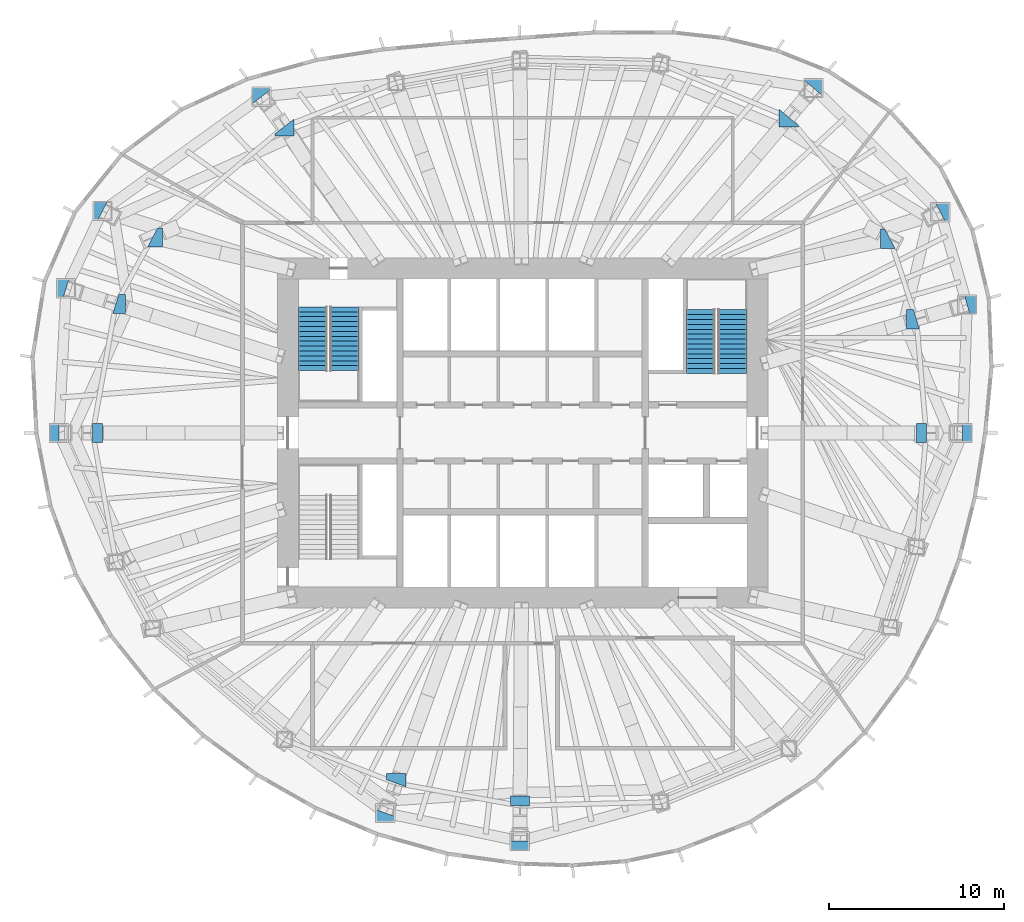
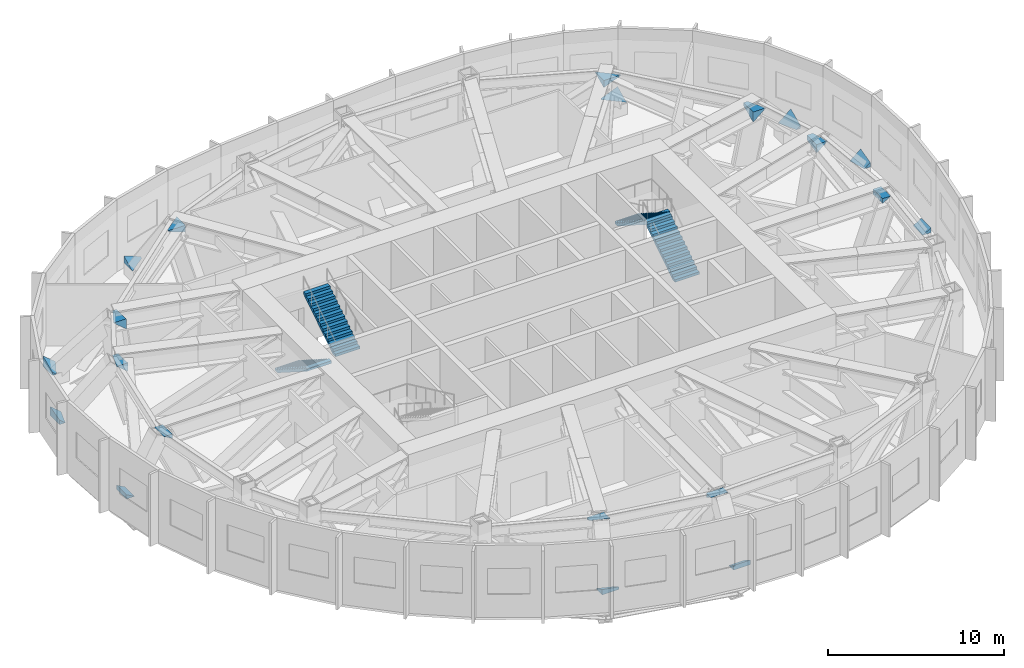
# One storey, part 10 of 11: 20 discrete accessories, 4 stair flights, 2 elements without a shape of their own.
"""IFC4 building model written with IfcOpenShell, lengths in metres."""

import ifcopenshell
import ifcopenshell.guid

model = None  # the IFC model being written
_history = None  # IfcOwnerHistory: only IFC2X3 demands one
_inside = {}  # id of a spatial element -> (the spatial element, [elements in it])
_under = {}  # id of a project, library or spatial element -> (it, [spatial elements below it])
_declared = {}  # id of a project -> (the project, [libraries it declares])
_typed = {}  # id of a type object -> (the type object, [elements of that type])
_made_of = {}  # id of a material, layer set ... -> (it, [elements and type objects made of it])


def new_model(schema):
    """Start an empty IFC model of exactly this schema.

    Asked for "IFC4X3", IfcOpenShell would pick the latest addendum, in which some entities
    have other attributes; the version numbers below select the first issue.
    IFC2X3 requires an IfcOwnerHistory on every rooted entity: one is made here for all.
    """
    global model, _history
    if schema == "IFC4X3":
        model = ifcopenshell.file(schema_version=(4, 3, 0, 0))
    else:
        model = ifcopenshell.file(schema=schema)
    _inside.clear()
    _under.clear()
    _declared.clear()
    _typed.clear()
    _made_of.clear()
    _history = None
    if model.schema == "IFC2X3":
        org = make("IfcOrganization", Name="unknown")
        user = make(
            "IfcPersonAndOrganization",
            ThePerson=make("IfcPerson", FamilyName="unknown"),
            TheOrganization=org,
        )
        app = make(
            "IfcApplication",
            ApplicationDeveloper=org,
            Version="unknown",
            ApplicationFullName="unknown",
            ApplicationIdentifier="unknown",
        )
        _history = make(
            "IfcOwnerHistory",
            OwningUser=user,
            OwningApplication=app,
            ChangeAction="ADDED",
            CreationDate=0,
        )
    return model


def make(cls, **values):
    """One entity of the class cls with the attributes given. An attribute that is None is left unset."""
    return model.create_entity(
        cls, **{name: value for name, value in values.items() if value is not None}
    )


def rooted(cls, **values):
    """An entity with a GlobalId (a new one), such as an element, a storey or a relation."""
    return make(cls, GlobalId=ifcopenshell.guid.new(), OwnerHistory=_history, **values)


def si_unit(unit_type, name, prefix=None):
    """IfcSIUnit, for example si_unit("LENGTHUNIT", "METRE", prefix="MILLI")."""
    return make("IfcSIUnit", UnitType=unit_type, Prefix=prefix, Name=name)


def assignment(units):
    """IfcUnitAssignment: the units of a project."""
    return None if units is None else make("IfcUnitAssignment", Units=units)


def point(xyz):
    """IfcCartesianPoint."""
    return None if xyz is None else make("IfcCartesianPoint", Coordinates=xyz)


def direction(xyz):
    """IfcDirection."""
    return None if xyz is None else make("IfcDirection", DirectionRatios=xyz)


def frame(location, z_axis=None, x_axis=None):
    """IfcAxis2Placement3D, a coordinate frame: its origin and axes. An axis left out is left unset."""
    return make(
        "IfcAxis2Placement3D",
        Location=point(location),
        Axis=direction(z_axis),
        RefDirection=direction(x_axis),
    )


def frame_2d(location, x_axis=None):
    """IfcAxis2Placement2D, a coordinate frame in the plane: its origin and x axis."""
    return make(
        "IfcAxis2Placement2D", Location=point(location), RefDirection=direction(x_axis)
    )


def origin():
    """The frame at (0, 0, 0) with its axes left unset."""
    return frame((0.0, 0.0, 0.0))


def origin_2d():
    """The frame at (0, 0) in the plane with its x axis left unset."""
    return frame_2d((0.0, 0.0))


def place(relative_to, where):
    """IfcLocalPlacement: puts the frame where relative to a parent placement (None: the world)."""
    return make(
        "IfcLocalPlacement", PlacementRelTo=relative_to, RelativePlacement=where
    )


def context(
    kind, dimensions, precision=None, world=None, true_north=None, identifier=None
):
    """IfcGeometricRepresentationContext, for example the 3D "Model" context."""
    return make(
        "IfcGeometricRepresentationContext",
        ContextIdentifier=identifier,
        ContextType=kind,
        CoordinateSpaceDimension=dimensions,
        Precision=precision,
        WorldCoordinateSystem=world,
        TrueNorth=true_north,
    )


def subcontext(parent, identifier, kind, view, scale=None):
    """IfcGeometricRepresentationSubContext, for example "Body" below "Model"."""
    return make(
        "IfcGeometricRepresentationSubContext",
        ContextIdentifier=identifier,
        ContextType=kind,
        ParentContext=parent,
        TargetScale=scale,
        TargetView=view,
    )


def project(units=None, contexts=None):
    """IfcProject with its units and contexts."""
    return rooted(
        "IfcProject",
        Name="project",
        RepresentationContexts=contexts,
        UnitsInContext=assignment(units),
    )


def spatial(cls, under=None, at=None, **own):
    """A site, building, storey or space (cls), placed at a placement, below another one or the project."""
    s = rooted(cls, ObjectPlacement=at, **own)
    if under is not None:
        _under.setdefault(under.id(), (under, []))[1].append(s)
    return s


def polyline(points):
    """IfcPolyline through the points."""
    return make("IfcPolyline", Points=[point(p) for p in points])


def profile(cls, at=None, kind="AREA", **sizes):
    """A parametric profile (cls). Its sizes go by their IFC names, for example OverallWidth=200.0."""
    return make(cls, ProfileType=kind, Position=at, **sizes)


def rectangle(**sizes):
    """IfcRectangleProfileDef."""
    return profile("IfcRectangleProfileDef", **sizes)


def outline(outer, holes=None, kind="AREA"):
    """IfcArbitraryClosedProfileDef: a profile drawn as a closed curve; with holes, ...WithVoids."""
    if holes is None:
        return make("IfcArbitraryClosedProfileDef", ProfileType=kind, OuterCurve=outer)
    return make(
        "IfcArbitraryProfileDefWithVoids",
        ProfileType=kind,
        OuterCurve=outer,
        InnerCurves=holes,
    )


def extrude(swept, where, along, depth):
    """IfcExtrudedAreaSolid: the profile swept, set in the frame where, extruded along a direction by depth."""
    return make(
        "IfcExtrudedAreaSolid",
        SweptArea=swept,
        Position=where,
        ExtrudedDirection=direction(along),
        Depth=depth,
    )


def clip(a, b, op="DIFFERENCE"):
    """IfcBooleanClippingResult: the solid a cut by the half space b."""
    return make(
        "IfcBooleanClippingResult", Operator=op, FirstOperand=a, SecondOperand=b
    )


def halfspace(plane, agree):
    """IfcHalfSpaceSolid: all space on one side of the plane z = 0 of the frame plane."""
    return make(
        "IfcHalfSpaceSolid",
        BaseSurface=make("IfcPlane", Position=plane),
        AgreementFlag=agree,
    )


def shape(context_of_items, identifier, shape_type, items):
    """IfcShapeRepresentation: the items that make up one representation, for example the "Body"."""
    return make(
        "IfcShapeRepresentation",
        ContextOfItems=context_of_items,
        RepresentationIdentifier=identifier,
        RepresentationType=shape_type,
        Items=items,
    )


def material(Name=None, Category=None):
    """IfcMaterial."""
    return make("IfcMaterial", Name=Name, Category=Category)


def material_profile(
    of_material, cross_section, Name=None, Category=None, Priority=None
):
    """IfcMaterialProfile: a cross section and its material."""
    return make(
        "IfcMaterialProfile",
        Name=Name,
        Material=of_material,
        Profile=cross_section,
        Priority=Priority,
        Category=Category,
    )


def profile_set(profiles, Name=None, composite=None):
    """IfcMaterialProfileSet."""
    return make(
        "IfcMaterialProfileSet",
        Name=Name,
        MaterialProfiles=profiles,
        CompositeProfile=composite,
    )


def made_of(thing, what):
    """Note that an element or type object is made of a material, layer set ...; save() writes the relation."""
    if what is not None:
        _made_of.setdefault(what.id(), (what, []))[1].append(thing)
    return thing


def type_object(cls, material=None, **own):
    """A type object (cls), such as IfcWallType, which elements share."""
    return made_of(rooted(cls, **own), material)


def element(
    cls,
    number,
    at=None,
    inside=None,
    cuts=None,
    type_object=None,
    material=None,
    context=None,
    identifier="Body",
    shape_type=None,
    held_by="IfcProductDefinitionShape",
    body=None,
    shapes=None,
    **own,
):
    """One element of the class cls, such as IfcWall. Its Tag is "e" and its number.

    at: its placement. inside: the storey or other place that contains it. cuts: it is an
    opening in that element (IfcRelVoidsElement). A single representation is given by context,
    identifier, shape_type and body (its items); several are given by shapes. held_by: the class
    of the entity that holds the representations. save() writes the other relations.
    """
    e = rooted(cls, Tag="e%d" % number, ObjectPlacement=at, **own)
    if body is not None:
        shapes = [shape(context, identifier, shape_type, body)]
    if shapes is not None:
        e.Representation = make(held_by, Representations=shapes)
    if inside is not None:
        _inside.setdefault(inside.id(), (inside, []))[1].append(e)
    if cuts is not None:
        rooted(
            "IfcRelVoidsElement", RelatingBuildingElement=cuts, RelatedOpeningElement=e
        )
    if type_object is not None:
        _typed.setdefault(type_object.id(), (type_object, []))[1].append(e)
    return made_of(e, material)


def aggregate(whole, parts):
    """IfcRelAggregates: a whole, such as a stair, and the parts it consists of."""
    return rooted("IfcRelAggregates", RelatingObject=whole, RelatedObjects=parts)


def save(model, path):
    """Write the relations noted so far, then the file.

    IfcRelAggregates (storeys below a building ...), IfcRelContainedInSpatialStructure (elements
    in a storey), IfcRelDefinesByType, IfcRelAssociatesMaterial and IfcRelDeclares: one each for
    every whole, place, type object, material and project.
    """
    for whole, parts in _under.values():
        aggregate(whole, parts)
    for where, things in _inside.values():
        rooted(
            "IfcRelContainedInSpatialStructure",
            RelatedElements=things,
            RelatingStructure=where,
        )
    for kind, things in _typed.values():
        rooted("IfcRelDefinesByType", RelatedObjects=things, RelatingType=kind)
    for what, things in _made_of.values():
        rooted("IfcRelAssociatesMaterial", RelatedObjects=things, RelatingMaterial=what)
    for by, libraries in _declared.values():
        rooted("IfcRelDeclares", RelatingContext=by, RelatedDefinitions=libraries)
    model.write(path)


model = new_model("IFC4")

# Units and contexts
model_context = context("Model", 3, precision=1e-05, world=origin(), true_north=direction((0.0, 1.0)))
body_context = subcontext(model_context, "Body", "Model", "MODEL_VIEW")
ifc_project = project(units=[si_unit("LENGTHUNIT", "METRE"), si_unit("AREAUNIT", "SQUARE_METRE"), si_unit("VOLUMEUNIT", "CUBIC_METRE"), si_unit("PLANEANGLEUNIT", "RADIAN"), si_unit("MASSUNIT", "GRAM", prefix="KILO")], contexts=[model_context])

# Site, building, storey
site_placement = place(None, origin())
site = spatial("IfcSite", under=ifc_project, at=site_placement, CompositionType="ELEMENT")
building_placement = place(site_placement, origin())
building = spatial("IfcBuilding", under=site, at=building_placement, Name="Ghaith Harvest Tower", CompositionType="ELEMENT")
storey_placement = place(building_placement, frame((0.0, 0.0, 266.199951171875)))
storey = spatial("IfcBuildingStorey", under=building, at=storey_placement, Name="L59", CompositionType="ELEMENT", Elevation=266.199951171875)

# Stair, stair flights
ifc_material_1 = material(Name="Concrete C40/50, precast", Category="concrete")
stair_type = type_object("IfcStairType", Name="CORE STAIR 28R", PredefinedType="HALF_TURN_STAIR", material=ifc_material_1)
stair_1_placement = place(storey_placement, origin())
stair_1 = element("IfcStair", 1, at=stair_1_placement, inside=storey, type_object=stair_type, Name="Stair ST1 L59", PredefinedType="HALF_TURN_STAIR")
ifc_material_2 = material(Name="Concrete C40/50, precast", Category="concrete")
stair_flight_type = type_object("IfcStairFlightType", Name="CORE FLIGHT 14R 1600", PredefinedType="STRAIGHT", material=ifc_material_2)
stair_flight_1_placement = place(storey_placement, frame((-12.0, 7.199951171875, 0.0), z_axis=(0.0, 0.0, 1.0), x_axis=(0.0, -1.0, 0.0)))
stair_flight_1 = element("IfcStairFlight", 2, at=stair_flight_1_placement, type_object=stair_flight_type, Name="ST1 flight 1", NumberOfRisers=14, NumberOfTreads=13, PredefinedType="STRAIGHT", RiserHeight=0.178571429, TreadLength=0.28, context=body_context, shape_type="SweptSolid", body=[
    extrude(outline(polyline([(0.0, 0.0), (0.0, 0.178466796875), (0.280029296875, 0.178466796875), (0.280029296875, 0.357177734375), (0.56005859375, 0.357177734375), (0.56005859375, 0.53564453125), (0.840087890625, 0.53564453125), (0.840087890625, 0.71435546875), (1.1201171875, 0.71435546875), (1.1201171875, 0.892822265625), (1.39990234375, 0.892822265625), (1.39990234375, 1.071533203125), (1.679931640625, 1.071533203125), (1.679931640625, 1.25), (1.9599609375, 1.25), (1.9599609375, 1.428466796875), (2.239990234375, 1.428466796875), (2.239990234375, 1.607177734375), (2.52001953125, 1.607177734375), (2.52001953125, 1.78564453125), (2.800048828125, 1.78564453125), (2.800048828125, 1.96435546875), (3.080078125, 1.96435546875), (3.080078125, 2.142822265625), (3.360107421875, 2.142822265625), (3.360107421875, 2.321533203125), (3.639892578125, 2.321533203125), (3.639892578125, 2.5), (3.639892578125, 2.1435546875), (0.27880859375, 0.0), (0.0, 0.0)])), frame((0.0, 0.800048828125, 0.0), z_axis=(0.0, -1.0, 0.0), x_axis=(1.0, 0.0, 0.0)), (0.0, 0.0, 1.0), 1.60009765625),
])
stair_flight_2_placement = place(storey_placement, frame((-10.14990234375, 3.56005859375, 2.5), z_axis=(0.0, 0.0, 1.0), x_axis=(0.0, 1.0, 0.0)))
stair_flight_2 = element("IfcStairFlight", 3, at=stair_flight_2_placement, type_object=stair_flight_type, Name="ST1 flight 2", NumberOfRisers=14, NumberOfTreads=13, PredefinedType="STRAIGHT", RiserHeight=0.178571429, TreadLength=0.28, context=body_context, shape_type="SweptSolid", body=[
    extrude(outline(polyline([(0.0, 0.0), (0.0, 0.178466796875), (0.280029296875, 0.178466796875), (0.280029296875, 0.357177734375), (0.56005859375, 0.357177734375), (0.56005859375, 0.53564453125), (0.840087890625, 0.53564453125), (0.840087890625, 0.71435546875), (1.1201171875, 0.71435546875), (1.1201171875, 0.892822265625), (1.39990234375, 0.892822265625), (1.39990234375, 1.071533203125), (1.679931640625, 1.071533203125), (1.679931640625, 1.25), (1.9599609375, 1.25), (1.9599609375, 1.428466796875), (2.239990234375, 1.428466796875), (2.239990234375, 1.607177734375), (2.52001953125, 1.607177734375), (2.52001953125, 1.78564453125), (2.800048828125, 1.78564453125), (2.800048828125, 1.96435546875), (3.080078125, 1.96435546875), (3.080078125, 2.142822265625), (3.360107421875, 2.142822265625), (3.360107421875, 2.321533203125), (3.639892578125, 2.321533203125), (3.639892578125, 2.5), (3.639892578125, 2.1435546875), (0.27880859375, 0.0), (0.0, 0.0)])), frame((0.0, 0.800048828125, 0.0), z_axis=(0.0, -1.0, 0.0), x_axis=(1.0, 0.0, 0.0)), (0.0, 0.0, 1.0), 1.60009765625),
])
aggregate(stair_1, [stair_flight_1, stair_flight_2])

stair_2_placement = place(storey_placement, origin())
stair_2 = element("IfcStair", 4, at=stair_2_placement, inside=storey, type_object=stair_type, Name="Stair ST2 L59", PredefinedType="HALF_TURN_STAIR")
stair_flight_3_placement = place(storey_placement, frame((12.0, 3.39990234375, 0.0), z_axis=(0.0, 0.0, 1.0), x_axis=(0.0, 1.0, 0.0)))
stair_flight_3 = element("IfcStairFlight", 5, at=stair_flight_3_placement, type_object=stair_flight_type, Name="ST2 flight 1", NumberOfRisers=14, NumberOfTreads=13, PredefinedType="STRAIGHT", RiserHeight=0.178571429, TreadLength=0.28, context=body_context, shape_type="SweptSolid", body=[
    extrude(outline(polyline([(0.0, 0.0), (0.0, 0.178466796875), (0.280029296875, 0.178466796875), (0.280029296875, 0.357177734375), (0.56005859375, 0.357177734375), (0.56005859375, 0.53564453125), (0.840087890625, 0.53564453125), (0.840087890625, 0.71435546875), (1.1201171875, 0.71435546875), (1.1201171875, 0.892822265625), (1.39990234375, 0.892822265625), (1.39990234375, 1.071533203125), (1.679931640625, 1.071533203125), (1.679931640625, 1.25), (1.9599609375, 1.25), (1.9599609375, 1.428466796875), (2.239990234375, 1.428466796875), (2.239990234375, 1.607177734375), (2.52001953125, 1.607177734375), (2.52001953125, 1.78564453125), (2.800048828125, 1.78564453125), (2.800048828125, 1.96435546875), (3.080078125, 1.96435546875), (3.080078125, 2.142822265625), (3.360107421875, 2.142822265625), (3.360107421875, 2.321533203125), (3.639892578125, 2.321533203125), (3.639892578125, 2.5), (3.639892578125, 2.1435546875), (0.27880859375, 0.0), (0.0, 0.0)])), frame((0.0, 0.800048828125, 0.0), z_axis=(0.0, -1.0, 0.0), x_axis=(1.0, 0.0, 0.0)), (0.0, 0.0, 1.0), 1.60009765625),
])
stair_flight_4_placement = place(storey_placement, frame((10.14990234375, 7.0400390625, 2.5), z_axis=(0.0, 0.0, 1.0), x_axis=(0.0, -1.0, 0.0)))
stair_flight_4 = element("IfcStairFlight", 6, at=stair_flight_4_placement, type_object=stair_flight_type, Name="ST2 flight 2", NumberOfRisers=14, NumberOfTreads=13, PredefinedType="STRAIGHT", RiserHeight=0.178571429, TreadLength=0.28, context=body_context, shape_type="SweptSolid", body=[
    extrude(outline(polyline([(0.0, 0.0), (0.0, 0.178466796875), (0.280029296875, 0.178466796875), (0.280029296875, 0.357177734375), (0.56005859375, 0.357177734375), (0.56005859375, 0.53564453125), (0.840087890625, 0.53564453125), (0.840087890625, 0.71435546875), (1.1201171875, 0.71435546875), (1.1201171875, 0.892822265625), (1.39990234375, 0.892822265625), (1.39990234375, 1.071533203125), (1.679931640625, 1.071533203125), (1.679931640625, 1.25), (1.9599609375, 1.25), (1.9599609375, 1.428466796875), (2.239990234375, 1.428466796875), (2.239990234375, 1.607177734375), (2.52001953125, 1.607177734375), (2.52001953125, 1.78564453125), (2.800048828125, 1.78564453125), (2.800048828125, 1.96435546875), (3.080078125, 1.96435546875), (3.080078125, 2.142822265625), (3.360107421875, 2.142822265625), (3.360107421875, 2.321533203125), (3.639892578125, 2.321533203125), (3.639892578125, 2.5), (3.639892578125, 2.1435546875), (0.27880859375, 0.0), (0.0, 0.0)])), frame((0.0, 0.800048828125, 0.0), z_axis=(0.0, -1.0, 0.0), x_axis=(1.0, 0.0, 0.0)), (0.0, 0.0, 1.0), 1.60009765625),
])
aggregate(stair_2, [stair_flight_3, stair_flight_4])

# Discrete accessories
ifc_material_3 = material(Name="Steel S460M", Category="steel")
ifc_material_profile = material_profile(ifc_material_3, rectangle(XDim=1.10009765625, YDim=1.10009765625, at=origin_2d()), Name="KINK NODE BEARING SHOE 1100")
ifc_profile_set = profile_set([ifc_material_profile], Name="Steel S460M")
discrete_accessory_type = type_object("IfcDiscreteAccessoryType", Name="KINK NODE BEARING SHOE 1100", PredefinedType="SHOE", material=ifc_profile_set)
discrete_accessory_1_placement = place(storey_placement, frame((25.125, 0.0, 0.775146484375), z_axis=(0.0, 0.0, 1.0), x_axis=(1.0, 0.0, 0.0)))
element("IfcDiscreteAccessory", 7, at=discrete_accessory_1_placement, inside=storey, type_object=discrete_accessory_type, Name="Kink node bearing shoe C01 base L59", PredefinedType="SHOE", context=body_context, shape_type="Clipping", body=[
    clip(extrude(rectangle(XDim=1.10009765625, YDim=1.10009765625, at=origin_2d()), origin(), (0.0, 0.0, 1.0), 0.3408203125), halfspace(frame((0.0, 0.0, 0.0), z_axis=(-0.515408661024, 0.0, 0.85694452104), x_axis=(1.0, 0.0, 0.0)), False)),
])
discrete_accessory_2_placement = place(storey_placement, frame((23.050048828125, 0.0, 3.88427734375), z_axis=(0.0, 0.0, 1.0), x_axis=(1.0, 0.0, 0.0)))
element("IfcDiscreteAccessory", 8, at=discrete_accessory_2_placement, inside=storey, type_object=discrete_accessory_type, Name="Kink node bearing shoe C01 head L59", PredefinedType="SHOE", context=body_context, shape_type="Clipping", body=[
    clip(extrude(rectangle(XDim=1.10009765625, YDim=1.10009765625, at=origin_2d()), origin(), (0.0, 0.0, 1.0), 0.3408203125), halfspace(frame((0.0, 0.0, 0.3408203125), z_axis=(0.515408661024, 0.0, -0.85694452104), x_axis=(1.0, 0.0, 0.0)), False)),
])
discrete_accessory_3_placement = place(storey_placement, frame((25.3779296875, 7.3349609375, 0.775146484375), z_axis=(0.0, 0.0, 1.0), x_axis=(1.0, 0.0, 0.0)))
element("IfcDiscreteAccessory", 9, at=discrete_accessory_3_placement, inside=storey, type_object=discrete_accessory_type, Name="Kink node bearing shoe C02 base L59", PredefinedType="SHOE", context=body_context, shape_type="Clipping", body=[
    clip(extrude(rectangle(XDim=1.10009765625, YDim=1.10009765625, at=origin_2d()), origin(), (0.0, 0.0, 1.0), 0.6044921875), halfspace(frame((0.0, 0.0, 0.0), z_axis=(-0.631743043759, -0.18255692493, 0.753374870713), x_axis=(1.0, 0.0, 0.0)), False)),
])
discrete_accessory_4_placement = place(storey_placement, frame((22.485107421875, 6.4990234375, 3.62060546875), z_axis=(0.0, 0.0, 1.0), x_axis=(1.0, 0.0, 0.0)))
element("IfcDiscreteAccessory", 10, at=discrete_accessory_4_placement, inside=storey, type_object=discrete_accessory_type, Name="Kink node bearing shoe C02 head L59", PredefinedType="SHOE", context=body_context, shape_type="Clipping", body=[
    clip(extrude(rectangle(XDim=1.10009765625, YDim=1.10009765625, at=origin_2d()), origin(), (0.0, 0.0, 1.0), 0.6044921875), halfspace(frame((0.0, 0.0, 0.6044921875), z_axis=(0.631743043759, 0.18255692493, -0.753374870713), x_axis=(1.0, 0.0, 0.0)), False)),
])
discrete_accessory_5_placement = place(storey_placement, frame((23.85205078125, 12.60693359375, 0.775146484375), z_axis=(0.0, 0.0, 1.0), x_axis=(1.0, 0.0, 0.0)))
element("IfcDiscreteAccessory", 11, at=discrete_accessory_5_placement, inside=storey, type_object=discrete_accessory_type, Name="Kink node bearing shoe C03 base L59", PredefinedType="SHOE", context=body_context, shape_type="Clipping", body=[
    clip(extrude(rectangle(XDim=1.10009765625, YDim=1.10009765625, at=origin_2d()), origin(), (0.0, 0.0, 1.0), 0.71044921875), halfspace(frame((0.0, 0.0, 0.0), z_axis=(-0.606433666005, -0.320407909003, 0.727720400006), x_axis=(1.0, 0.0, 0.0)), False)),
])
discrete_accessory_6_placement = place(storey_placement, frame((20.97705078125, 11.087890625, 3.5146484375), z_axis=(0.0, 0.0, 1.0), x_axis=(1.0, 0.0, 0.0)))
element("IfcDiscreteAccessory", 12, at=discrete_accessory_6_placement, inside=storey, type_object=discrete_accessory_type, Name="Kink node bearing shoe C03 head L59", PredefinedType="SHOE", context=body_context, shape_type="Clipping", body=[
    clip(extrude(rectangle(XDim=1.10009765625, YDim=1.10009765625, at=origin_2d()), origin(), (0.0, 0.0, 1.0), 0.71044921875), halfspace(frame((0.0, 0.0, 0.71044921875), z_axis=(0.606433666005, 0.320407909003, -0.727720400006), x_axis=(1.0, 0.0, 0.0)), False)),
])
discrete_accessory_7_placement = place(storey_placement, frame((16.60791015625, 19.695068359375, 0.775146484375), z_axis=(0.0, 0.0, 1.0), x_axis=(1.0, 0.0, 0.0)))
element("IfcDiscreteAccessory", 13, at=discrete_accessory_7_placement, inside=storey, type_object=discrete_accessory_type, Name="Kink node bearing shoe C04 base L59", PredefinedType="SHOE", context=body_context, shape_type="Clipping", body=[
    clip(extrude(rectangle(XDim=1.10009765625, YDim=1.10009765625, at=origin_2d()), origin(), (0.0, 0.0, 1.0), 0.501220703125), halfspace(frame((0.0, 0.0, 0.0), z_axis=(-0.345176004957, -0.409315092949, 0.844579587894), x_axis=(1.0, 0.0, 0.0)), False)),
])
discrete_accessory_8_placement = place(storey_placement, frame((15.197998046875, 18.02294921875, 3.7236328125), z_axis=(0.0, 0.0, 1.0), x_axis=(1.0, 0.0, 0.0)))
element("IfcDiscreteAccessory", 14, at=discrete_accessory_8_placement, inside=storey, type_object=discrete_accessory_type, Name="Kink node bearing shoe C04 head L59", PredefinedType="SHOE", context=body_context, shape_type="Clipping", body=[
    clip(extrude(rectangle(XDim=1.10009765625, YDim=1.10009765625, at=origin_2d()), origin(), (0.0, 0.0, 1.0), 0.50146484375), halfspace(frame((0.0, 0.0, 0.50146484375), z_axis=(0.345176004957, 0.409315092949, -0.844579587894), x_axis=(1.0, 0.0, 0.0)), False)),
])
discrete_accessory_9_placement = place(storey_placement, frame((-14.910888671875, 19.199951171875, 0.775146484375), z_axis=(0.0, 0.0, 1.0), x_axis=(1.0, 0.0, 0.0)))
element("IfcDiscreteAccessory", 15, at=discrete_accessory_9_placement, inside=storey, type_object=discrete_accessory_type, Name="Kink node bearing shoe C08 base L59", PredefinedType="SHOE", context=body_context, shape_type="Clipping", body=[
    clip(extrude(rectangle(XDim=1.10009765625, YDim=1.10009765625, at=origin_2d()), origin(), (0.0, 0.0, 1.0), 0.489990234375), halfspace(frame((0.0, 0.0, 0.0), z_axis=(0.323904366083, -0.417186854107, 0.849141384218), x_axis=(1.0, 0.0, 0.0)), False)),
])
discrete_accessory_10_placement = place(storey_placement, frame((-13.594970703125, 17.5048828125, 3.735107421875), z_axis=(0.0, 0.0, 1.0), x_axis=(1.0, 0.0, 0.0)))
element("IfcDiscreteAccessory", 16, at=discrete_accessory_10_placement, inside=storey, type_object=discrete_accessory_type, Name="Kink node bearing shoe C08 head L59", PredefinedType="SHOE", context=body_context, shape_type="Clipping", body=[
    clip(extrude(rectangle(XDim=1.10009765625, YDim=1.10009765625, at=origin_2d()), origin(), (0.0, 0.0, 1.0), 0.489990234375), halfspace(frame((0.0, 0.0, 0.489990234375), z_axis=(-0.323904366083, 0.417186854107, -0.849141384218), x_axis=(1.0, 0.0, 0.0)), False)),
])
discrete_accessory_11_placement = place(storey_placement, frame((-23.986083984375, 12.677978515625, 0.775146484375), z_axis=(0.0, 0.0, 1.0), x_axis=(1.0, 0.0, 0.0)))
element("IfcDiscreteAccessory", 17, at=discrete_accessory_11_placement, inside=storey, type_object=discrete_accessory_type, Name="Kink node bearing shoe C09 base L59", PredefinedType="SHOE", context=body_context, shape_type="Clipping", body=[
    clip(extrude(rectangle(XDim=1.10009765625, YDim=1.10009765625, at=origin_2d()), origin(), (0.0, 0.0, 1.0), 0.70703125), halfspace(frame((0.0, 0.0, 0.0), z_axis=(0.604848182874, -0.319654125934, 0.729369532848), x_axis=(1.0, 0.0, 0.0)), False)),
])
discrete_accessory_12_placement = place(storey_placement, frame((-21.125, 11.166015625, 3.51806640625), z_axis=(0.0, 0.0, 1.0), x_axis=(1.0, 0.0, 0.0)))
element("IfcDiscreteAccessory", 18, at=discrete_accessory_12_placement, inside=storey, type_object=discrete_accessory_type, Name="Kink node bearing shoe C09 head L59", PredefinedType="SHOE", context=body_context, shape_type="Clipping", body=[
    clip(extrude(rectangle(XDim=1.10009765625, YDim=1.10009765625, at=origin_2d()), origin(), (0.0, 0.0, 1.0), 0.70703125), halfspace(frame((0.0, 0.0, 0.70703125), z_axis=(-0.604848182874, 0.319654125934, -0.729369532848), x_axis=(1.0, 0.0, 0.0)), False)),
])
discrete_accessory_13_placement = place(storey_placement, frame((-26.06689453125, 8.260986328125, 0.775146484375), z_axis=(0.0, 0.0, 1.0), x_axis=(1.0, 0.0, 0.0)))
element("IfcDiscreteAccessory", 19, at=discrete_accessory_13_placement, inside=storey, type_object=discrete_accessory_type, Name="Kink node bearing shoe C10 base L59", PredefinedType="SHOE", context=body_context, shape_type="Clipping", body=[
    clip(extrude(rectangle(XDim=1.10009765625, YDim=1.10009765625, at=origin_2d()), origin(), (0.0, 0.0, 1.0), 0.606689453125), halfspace(frame((0.0, 0.0, 0.0), z_axis=(0.623414695759, -0.197571804924, 0.756518009707), x_axis=(1.0, 0.0, 0.0)), False)),
])
discrete_accessory_14_placement = place(storey_placement, frame((-23.22412109375, 7.360107421875, 3.6181640625), z_axis=(0.0, 0.0, 1.0), x_axis=(1.0, 0.0, 0.0)))
element("IfcDiscreteAccessory", 20, at=discrete_accessory_14_placement, inside=storey, type_object=discrete_accessory_type, Name="Kink node bearing shoe C10 head L59", PredefinedType="SHOE", context=body_context, shape_type="Clipping", body=[
    clip(extrude(rectangle(XDim=1.10009765625, YDim=1.10009765625, at=origin_2d()), origin(), (0.0, 0.0, 1.0), 0.60693359375), halfspace(frame((0.0, 0.0, 0.60693359375), z_axis=(-0.623414695759, 0.197571804924, -0.756518009707), x_axis=(1.0, 0.0, 0.0)), False)),
])
discrete_accessory_15_placement = place(storey_placement, frame((-26.47509765625, 0.0, 0.775146484375), z_axis=(0.0, 0.0, 1.0), x_axis=(1.0, 0.0, 0.0)))
element("IfcDiscreteAccessory", 21, at=discrete_accessory_15_placement, inside=storey, type_object=discrete_accessory_type, Name="Kink node bearing shoe C11 base L59", PredefinedType="SHOE", context=body_context, shape_type="Clipping", body=[
    clip(extrude(rectangle(XDim=1.10009765625, YDim=1.10009765625, at=origin_2d()), origin(), (0.0, 0.0, 1.0), 0.31689453125), halfspace(frame((0.0, 0.0, 0.0), z_axis=(0.487253948044, 0.0, 0.873260322078), x_axis=(1.0, 0.0, 0.0)), False)),
])
discrete_accessory_16_placement = place(storey_placement, frame((-24.550048828125, 0.0, 3.908203125), z_axis=(0.0, 0.0, 1.0), x_axis=(1.0, 0.0, 0.0)))
element("IfcDiscreteAccessory", 22, at=discrete_accessory_16_placement, inside=storey, type_object=discrete_accessory_type, Name="Kink node bearing shoe C11 head L59", PredefinedType="SHOE", context=body_context, shape_type="Clipping", body=[
    clip(extrude(rectangle(XDim=1.10009765625, YDim=1.10009765625, at=origin_2d()), origin(), (0.0, 0.0, 1.0), 0.31689453125), halfspace(frame((0.0, 0.0, 0.31689453125), z_axis=(-0.487253948044, 0.0, -0.873260322078), x_axis=(1.0, 0.0, 0.0)), False)),
])
discrete_accessory_17_placement = place(storey_placement, frame((-7.837890625, -21.699951171875, 0.775146484375), z_axis=(0.0, 0.0, 1.0), x_axis=(1.0, 0.0, 0.0)))
element("IfcDiscreteAccessory", 23, at=discrete_accessory_17_placement, inside=storey, type_object=discrete_accessory_type, Name="Kink node bearing shoe C15 base L59", PredefinedType="SHOE", context=body_context, shape_type="Clipping", body=[
    clip(extrude(rectangle(XDim=1.10009765625, YDim=1.10009765625, at=origin_2d()), origin(), (0.0, 0.0, 1.0), 0.379638671875), halfspace(frame((0.0, 0.0, 0.0), z_axis=(0.158093442969, 0.437066775913, 0.885425940824), x_axis=(1.0, 0.0, 0.0)), False)),
])
discrete_accessory_18_placement = place(storey_placement, frame((-7.221923828125, -19.9970703125, 3.845458984375), z_axis=(0.0, 0.0, 1.0), x_axis=(1.0, 0.0, 0.0)))
element("IfcDiscreteAccessory", 24, at=discrete_accessory_18_placement, inside=storey, type_object=discrete_accessory_type, Name="Kink node bearing shoe C15 head L59", PredefinedType="SHOE", context=body_context, shape_type="Clipping", body=[
    clip(extrude(rectangle(XDim=1.10009765625, YDim=1.10009765625, at=origin_2d()), origin(), (0.0, 0.0, 1.0), 0.379638671875), halfspace(frame((0.0, 0.0, 0.379638671875), z_axis=(-0.158093442969, -0.437066775913, -0.885425940824), x_axis=(1.0, 0.0, 0.0)), False)),
])
discrete_accessory_19_placement = place(storey_placement, frame((-0.158935546875, -23.304931640625, 0.775146484375), z_axis=(0.0, 0.0, 1.0), x_axis=(1.0, 0.0, 0.0)))
element("IfcDiscreteAccessory", 25, at=discrete_accessory_19_placement, inside=storey, type_object=discrete_accessory_type, Name="Kink node bearing shoe C16 base L59", PredefinedType="SHOE", context=body_context, shape_type="Clipping", body=[
    clip(extrude(rectangle(XDim=1.10009765625, YDim=1.10009765625, at=origin_2d()), origin(), (0.0, 0.0, 1.0), 0.333740234375), halfspace(frame((0.0, 0.0, 0.0), z_axis=(0.003252132001, 0.505081094217, 0.86306576337), x_axis=(1.0, 0.0, 0.0)), False)),
])
discrete_accessory_20_placement = place(storey_placement, frame((-0.14599609375, -21.285888671875, 3.89111328125), z_axis=(0.0, 0.0, 1.0), x_axis=(1.0, 0.0, 0.0)))
element("IfcDiscreteAccessory", 26, at=discrete_accessory_20_placement, inside=storey, type_object=discrete_accessory_type, Name="Kink node bearing shoe C16 head L59", PredefinedType="SHOE", context=body_context, shape_type="Clipping", body=[
    clip(extrude(rectangle(XDim=1.10009765625, YDim=1.10009765625, at=origin_2d()), origin(), (0.0, 0.0, 1.0), 0.333984375), halfspace(frame((0.0, 0.0, 0.333984375), z_axis=(-0.003252132001, -0.505081094217, -0.86306576337), x_axis=(1.0, 0.0, 0.0)), False)),
])

save(model, "model.ifc")
